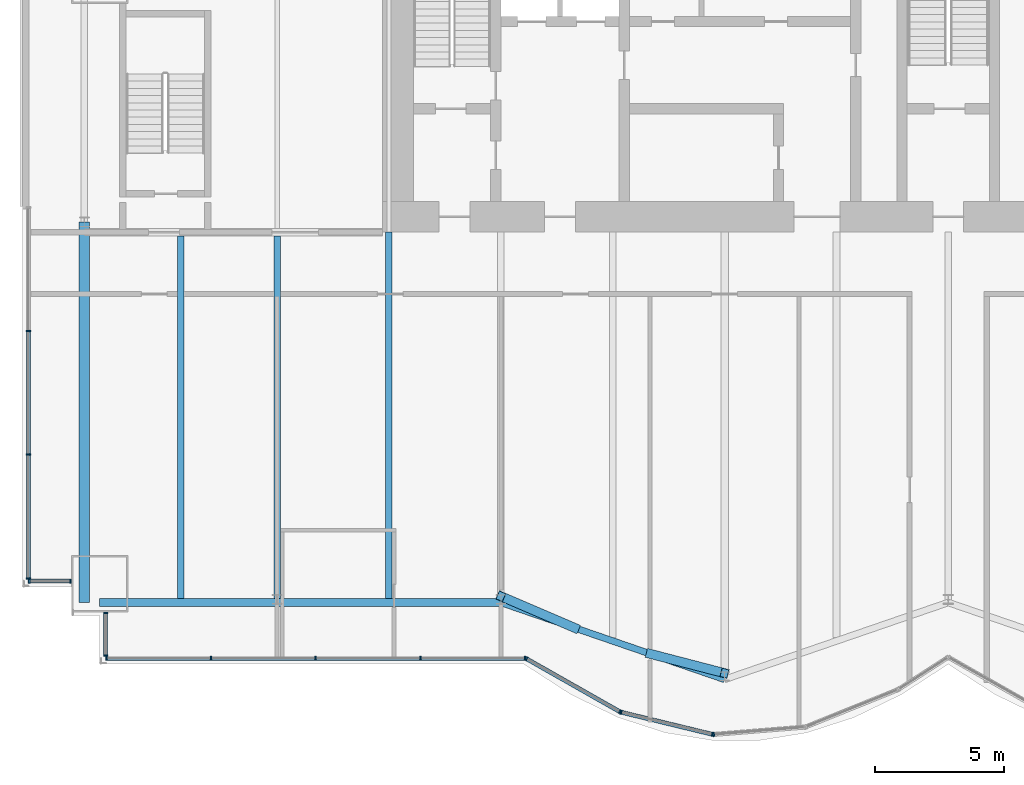
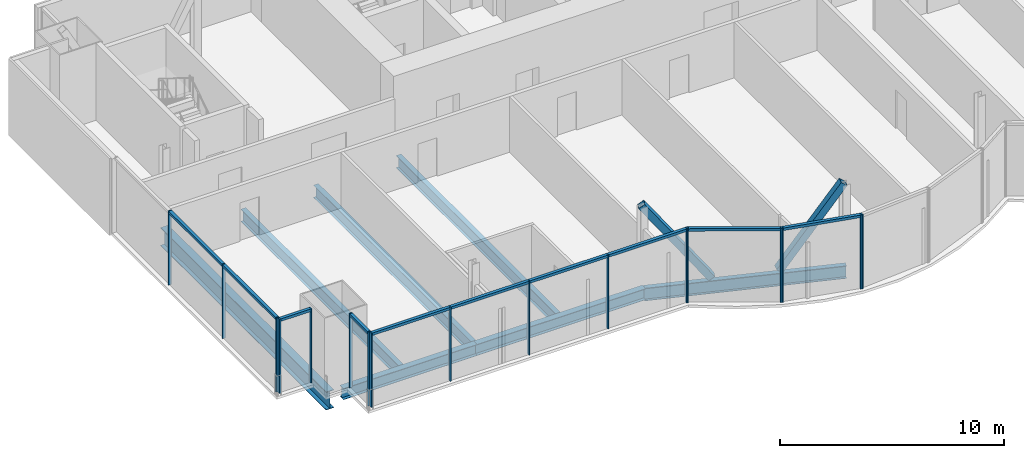
# One storey, part 5 of 20: 29 members, 7 beams, 5 elements without a shape of their own.
"""IFC4 building model written with IfcOpenShell, lengths in metres."""

from ifc_helpers import new_model, si_unit, direction, frame, origin, origin_2d, place, context, subcontext, project, spatial, rectangle, hollow_rectangle, i_section, extrude, material, material_profile, profile_set, type_object, element, aggregate, save


model = new_model("IFC4")

# Units and contexts
model_context = context("Model", 3, precision=1e-05, world=origin(), true_north=direction((0.0, 1.0)))
body_context = subcontext(model_context, "Body", "Model", "MODEL_VIEW")
ifc_project = project(units=[si_unit("LENGTHUNIT", "METRE"), si_unit("AREAUNIT", "SQUARE_METRE"), si_unit("VOLUMEUNIT", "CUBIC_METRE"), si_unit("PLANEANGLEUNIT", "RADIAN"), si_unit("MASSUNIT", "GRAM", prefix="KILO")], contexts=[model_context])

# Site, building, storey
site_placement = place(None, origin())
site = spatial("IfcSite", under=ifc_project, at=site_placement, CompositionType="ELEMENT")
building_placement = place(site_placement, origin())
building = spatial("IfcBuilding", under=site, at=building_placement, Name="Bicima Exchange Tower", CompositionType="ELEMENT")
storey_placement = place(building_placement, frame((0.0, 0.0, 249.800048828125)))
storey = spatial("IfcBuildingStorey", under=building, at=storey_placement, Name="L56", CompositionType="ELEMENT", Elevation=249.800048828125)

# Curtain wall, members
ifc_material_1 = material(Name="Anodised bronze aluminium", Category="aluminium")
curtain_wall_type_1 = type_object("IfcCurtainWallType", Name="End face glass wall", PredefinedType="NOTDEFINED", material=ifc_material_1)
curtain_wall_1_placement = place(storey_placement, origin())
curtain_wall_1 = element("IfcCurtainWall", 1, at=curtain_wall_1_placement, inside=storey, type_object=curtain_wall_type_1, Name="End face glass wall L56 run 2", PredefinedType="NOTDEFINED")
ifc_material_profile_1 = material_profile(ifc_material_1, rectangle(XDim=0.159912109375, YDim=0.06005859375, at=origin_2d()))
ifc_profile_set_1 = profile_set([ifc_material_profile_1], Name="Anodised bronze aluminium")
member_type_1 = type_object("IfcMemberType", Name="End face glass wall mullion 60 x 160", PredefinedType="MULLION", material=ifc_profile_set_1)
member_1_placement = place(storey_placement, frame((-35.77001953125, -16.840087890625, 0.0), z_axis=(0.0, 0.0, 1.0), x_axis=(1.0, 0.0, 0.0)))
member_1 = element("IfcMember", 2, at=member_1_placement, type_object=member_type_1, Name="End face glass wall mullion 2", PredefinedType="MULLION", context=body_context, shape_type="SweptSolid", body=[
    extrude(rectangle(XDim=0.159912109375, YDim=0.06005859375, at=origin_2d()), origin(), (0.0, 0.0, 1.0), 4.050048828125),
])
member_2_placement = place(storey_placement, frame((-35.77001953125, -21.64990234375, 0.0), z_axis=(0.0, 0.0, 1.0), x_axis=(1.0, 0.0, 0.0)))
member_2 = element("IfcMember", 3, at=member_2_placement, type_object=member_type_1, Name="End face glass wall mullion 3", PredefinedType="MULLION", context=body_context, shape_type="SweptSolid", body=[
    extrude(rectangle(XDim=0.159912109375, YDim=0.06005859375, at=origin_2d()), origin(), (0.0, 0.0, 1.0), 4.050048828125),
])
member_3_placement = place(storey_placement, frame((-35.77001953125, -26.4599609375, 0.0), z_axis=(0.0, 0.0, 1.0), x_axis=(1.0, 0.0, 0.0)))
member_3 = element("IfcMember", 4, at=member_3_placement, type_object=member_type_1, Name="End face glass wall mullion 4", PredefinedType="MULLION", context=body_context, shape_type="SweptSolid", body=[
    extrude(rectangle(XDim=0.159912109375, YDim=0.06005859375, at=origin_2d()), origin(), (0.0, 0.0, 1.0), 4.050048828125),
])
ifc_material_profile_2 = material_profile(ifc_material_1, rectangle(XDim=0.159912109375, YDim=0.139892578125, at=origin_2d()))
ifc_profile_set_2 = profile_set([ifc_material_profile_2], Name="Anodised bronze aluminium")
member_type_2 = type_object("IfcMemberType", Name="End face glass wall transom 140 x 160", PredefinedType="USERDEFINED", material=ifc_profile_set_2)
member_4_placement = place(storey_placement, frame((-35.77001953125, -16.8701171875, 3.97998046875), z_axis=(0.0, -1.0, 0.0), x_axis=(1.0, 0.0, 0.0)))
member_4 = element("IfcMember", 5, at=member_4_placement, type_object=member_type_2, Name="End face glass wall transom 2.1", ObjectType="TRANSOM", PredefinedType="USERDEFINED", context=body_context, shape_type="SweptSolid", body=[
    extrude(rectangle(XDim=0.159912109375, YDim=0.139892578125, at=origin_2d()), origin(), (0.0, 0.0, 1.0), 4.75),
])
member_5_placement = place(storey_placement, frame((-35.77001953125, -21.679931640625, 3.97998046875), z_axis=(0.0, -1.0, 0.0), x_axis=(1.0, 0.0, 0.0)))
member_5 = element("IfcMember", 6, at=member_5_placement, type_object=member_type_2, Name="End face glass wall transom 3.1", ObjectType="TRANSOM", PredefinedType="USERDEFINED", context=body_context, shape_type="SweptSolid", body=[
    extrude(rectangle(XDim=0.159912109375, YDim=0.139892578125, at=origin_2d()), origin(), (0.0, 0.0, 1.0), 4.75),
])
aggregate(curtain_wall_1, [member_1, member_2, member_3, member_4, member_5])

# Beams
ifc_material_2 = material(Name="Steel ASTM A992 Gr 50", Category="steel")
ifc_material_profile_3 = material_profile(ifc_material_2, i_section(OverallWidth=0.4013671875, OverallDepth=0.990478515625, WebThickness=0.0166015625, FlangeThickness=0.031005859375, at=origin_2d()))
ifc_profile_set_3 = profile_set([ifc_material_profile_3], Name="Steel ASTM A992 Gr 50")
beam_type_1 = type_object("IfcBeamType", Name="End girder W40x215", PredefinedType="BEAM", material=ifc_profile_set_3)
beam_1_placement = place(storey_placement, frame((-33.60009765625, -12.60009765625, -0.645263671875), z_axis=(0.0, -1.0, 0.0), x_axis=(1.0, 0.0, 0.0)))
element("IfcBeam", 7, at=beam_1_placement, inside=storey, type_object=beam_type_1, Name="End girder", PredefinedType="BEAM", context=body_context, shape_type="SweptSolid", body=[
    extrude(i_section(OverallWidth=0.4013671875, OverallDepth=0.990478515625, WebThickness=0.0166015625, FlangeThickness=0.031005859375, at=origin_2d()), origin(), (0.0, 0.0, 1.0), 14.7998046875),
])
ifc_material_profile_4 = material_profile(ifc_material_2, i_section(OverallWidth=0.25390625, OverallDepth=0.67822265625, WebThickness=0.01171875, FlangeThickness=0.016357421875, at=origin_2d()))
ifc_profile_set_4 = profile_set([ifc_material_profile_4], Name="Steel ASTM A992 Gr 50")
beam_type_2 = type_object("IfcBeamType", Name="Floor beam W27x84", PredefinedType="JOIST", material=ifc_profile_set_4)
for number, where, z_axis, x_axis, name in (
    (8, (-29.85009765625, -13.15234375, -0.4892578125), (0.0, -1.0, 0.0), (1.0, 0.0, 0.0), "Floor beam"),
    (9, (-26.10009765625, -13.15234375, -0.4892578125), (0.0, -1.0, 0.0), (1.0, 0.0, 0.0), "Floor beam"),
):
    element("IfcBeam", number, at=place(storey_placement, frame(where, z_axis=z_axis, x_axis=x_axis)), inside=storey, type_object=beam_type_2, Name=name, PredefinedType="JOIST", context=body_context, shape_type="SweptSolid", body=[
        extrude(i_section(OverallWidth=0.25390625, OverallDepth=0.67822265625, WebThickness=0.01171875, FlangeThickness=0.016357421875, at=origin_2d()), origin(), (0.0, 0.0, 1.0), 14.0849609375),
    ])
beam_2_placement = place(storey_placement, frame((-21.75, -13.0, -0.4892578125), z_axis=(0.0, -1.0, 0.0), x_axis=(1.0, 0.0, 0.0)))
element("IfcBeam", 10, at=beam_2_placement, inside=storey, type_object=beam_type_2, Name="Floor beam", PredefinedType="JOIST", context=body_context, shape_type="SweptSolid", body=[
    extrude(i_section(OverallWidth=0.25390625, OverallDepth=0.67822265625, WebThickness=0.01171875, FlangeThickness=0.016357421875, at=origin_2d()), origin(), (0.0, 0.0, 1.0), 14.2373046875),
])
ifc_material_profile_5 = material_profile(ifc_material_2, i_section(OverallWidth=0.3251953125, OverallDepth=0.612060546875, WebThickness=0.0126953125, FlangeThickness=0.01904296875, at=origin_2d()))
ifc_profile_set_5 = profile_set([ifc_material_profile_5], Name="Steel ASTM A992 Gr 50")
beam_type_3 = type_object("IfcBeamType", Name="Front girder W24x104", PredefinedType="BEAM", material=ifc_profile_set_5)
beam_3_placement = place(storey_placement, frame((-33.0, -27.39990234375, -0.4560546875), z_axis=(1.0, 0.0, 0.0), x_axis=(0.0, 1.0, 0.0)))
element("IfcBeam", 11, at=beam_3_placement, inside=storey, type_object=beam_type_3, Name="Front girder", PredefinedType="BEAM", context=body_context, shape_type="SweptSolid", body=[
    extrude(i_section(OverallWidth=0.3251953125, OverallDepth=0.612060546875, WebThickness=0.0126953125, FlangeThickness=0.01904296875, at=origin_2d()), origin(), (0.0, 0.0, 1.0), 6.89990234375),
])
beam_4_placement = place(storey_placement, frame((-26.10009765625, -27.39990234375, -0.4560546875), z_axis=(1.0, 0.0, 0.0), x_axis=(0.0, 1.0, 0.0)))
element("IfcBeam", 12, at=beam_4_placement, inside=storey, type_object=beam_type_3, Name="Front girder", PredefinedType="BEAM", context=body_context, shape_type="SweptSolid", body=[
    extrude(i_section(OverallWidth=0.3251953125, OverallDepth=0.612060546875, WebThickness=0.0126953125, FlangeThickness=0.01904296875, at=origin_2d()), origin(), (0.0, 0.0, 1.0), 8.7001953125),
])
ifc_material_profile_6 = material_profile(ifc_material_2, i_section(OverallWidth=0.256591796875, OverallDepth=0.693359375, WebThickness=0.014404296875, FlangeThickness=0.023681640625, at=origin_2d()))
ifc_profile_set_6 = profile_set([ifc_material_profile_6], Name="Steel ASTM A992 Gr 50")
beam_type_4 = type_object("IfcBeamType", Name="Front girder W27x114", PredefinedType="BEAM", material=ifc_profile_set_6)
beam_5_placement = place(storey_placement, frame((-17.39990234375, -27.39990234375, -0.496826171875), z_axis=(0.945666456746, -0.325138359143, 0.0), x_axis=(0.325138359143, 0.945666456746, 0.0)))
element("IfcBeam", 13, at=beam_5_placement, inside=storey, type_object=beam_type_4, Name="Front girder", PredefinedType="BEAM", context=body_context, shape_type="SweptSolid", body=[
    extrude(i_section(OverallWidth=0.256591796875, OverallDepth=0.693359375, WebThickness=0.014404296875, FlangeThickness=0.023681640625, at=origin_2d()), origin(), (0.0, 0.0, 1.0), 9.19970703125),
])

# Curtain wall, members
curtain_wall_type_2 = type_object("IfcCurtainWallType", Name="Front glass wall", PredefinedType="NOTDEFINED", material=ifc_material_1)
curtain_wall_2_placement = place(storey_placement, origin())
curtain_wall_2 = element("IfcCurtainWall", 14, at=curtain_wall_2_placement, inside=storey, type_object=curtain_wall_type_2, Name="Front glass wall L56 run 3", PredefinedType="NOTDEFINED")
member_type_3 = type_object("IfcMemberType", Name="Front glass wall mullion 60 x 160", PredefinedType="MULLION", material=ifc_profile_set_1)
member_6_placement = place(storey_placement, frame((-35.739990234375, -26.570068359375, 0.0), z_axis=(0.0, 0.0, 1.0), x_axis=(0.0, 1.0, 0.0)))
member_6 = element("IfcMember", 15, at=member_6_placement, type_object=member_type_3, Name="Front glass wall mullion 1", PredefinedType="MULLION", context=body_context, shape_type="SweptSolid", body=[
    extrude(rectangle(XDim=0.159912109375, YDim=0.06005859375, at=origin_2d()), origin(), (0.0, 0.0, 1.0), 4.050048828125),
])
member_7_placement = place(storey_placement, frame((-34.1298828125, -26.570068359375, 0.0), z_axis=(0.0, 0.0, 1.0), x_axis=(0.0, 1.0, 0.0)))
member_7 = element("IfcMember", 16, at=member_7_placement, type_object=member_type_3, Name="Front glass wall mullion 2", PredefinedType="MULLION", context=body_context, shape_type="SweptSolid", body=[
    extrude(rectangle(XDim=0.159912109375, YDim=0.06005859375, at=origin_2d()), origin(), (0.0, 0.0, 1.0), 4.050048828125),
])

curtain_wall_3_placement = place(storey_placement, origin())
curtain_wall_3 = element("IfcCurtainWall", 17, at=curtain_wall_3_placement, inside=storey, type_object=curtain_wall_type_2, Name="Front glass wall L56 run 4", PredefinedType="NOTDEFINED")
member_8_placement = place(storey_placement, frame((-32.77001953125, -27.80810546875, 0.0), z_axis=(0.0, 0.0, 1.0), x_axis=(1.0, 0.0, 0.0)))
member_8 = element("IfcMember", 18, at=member_8_placement, type_object=member_type_3, Name="Front glass wall mullion 1", PredefinedType="MULLION", context=body_context, shape_type="SweptSolid", body=[
    extrude(rectangle(XDim=0.159912109375, YDim=0.06005859375, at=origin_2d()), origin(), (0.0, 0.0, 1.0), 4.050048828125),
])
member_9_placement = place(storey_placement, frame((-32.77001953125, -29.4599609375, 0.0), z_axis=(0.0, 0.0, 1.0), x_axis=(1.0, 0.0, 0.0)))
member_9 = element("IfcMember", 19, at=member_9_placement, type_object=member_type_3, Name="Front glass wall mullion 2", PredefinedType="MULLION", context=body_context, shape_type="SweptSolid", body=[
    extrude(rectangle(XDim=0.159912109375, YDim=0.06005859375, at=origin_2d()), origin(), (0.0, 0.0, 1.0), 4.050048828125),
])

curtain_wall_4_placement = place(storey_placement, origin())
curtain_wall_4 = element("IfcCurtainWall", 20, at=curtain_wall_4_placement, inside=storey, type_object=curtain_wall_type_2, Name="Front glass wall L56 run 5", PredefinedType="NOTDEFINED")
member_10_placement = place(storey_placement, frame((-32.739990234375, -29.570068359375, 0.0), z_axis=(0.0, 0.0, 1.0), x_axis=(0.0, 1.0, 0.0)))
member_10 = element("IfcMember", 21, at=member_10_placement, type_object=member_type_3, Name="Front glass wall mullion 1", PredefinedType="MULLION", context=body_context, shape_type="SweptSolid", body=[
    extrude(rectangle(XDim=0.159912109375, YDim=0.06005859375, at=origin_2d()), origin(), (0.0, 0.0, 1.0), 4.050048828125),
])
member_11_placement = place(storey_placement, frame((-28.67041015625, -29.570068359375, 0.0), z_axis=(0.0, 0.0, 1.0), x_axis=(0.0, 1.0, 0.0)))
member_11 = element("IfcMember", 22, at=member_11_placement, type_object=member_type_3, Name="Front glass wall mullion 2", PredefinedType="MULLION", context=body_context, shape_type="SweptSolid", body=[
    extrude(rectangle(XDim=0.159912109375, YDim=0.06005859375, at=origin_2d()), origin(), (0.0, 0.0, 1.0), 4.050048828125),
])
member_12_placement = place(storey_placement, frame((-24.60107421875, -29.570068359375, 0.0), z_axis=(0.0, 0.0, 1.0), x_axis=(0.0, 1.0, 0.0)))
member_12 = element("IfcMember", 23, at=member_12_placement, type_object=member_type_3, Name="Front glass wall mullion 3", PredefinedType="MULLION", context=body_context, shape_type="SweptSolid", body=[
    extrude(rectangle(XDim=0.159912109375, YDim=0.06005859375, at=origin_2d()), origin(), (0.0, 0.0, 1.0), 4.050048828125),
])
member_13_placement = place(storey_placement, frame((-20.531494140625, -29.570068359375, 0.0), z_axis=(0.0, 0.0, 1.0), x_axis=(0.0, 1.0, 0.0)))
member_13 = element("IfcMember", 24, at=member_13_placement, type_object=member_type_3, Name="Front glass wall mullion 4", PredefinedType="MULLION", context=body_context, shape_type="SweptSolid", body=[
    extrude(rectangle(XDim=0.159912109375, YDim=0.06005859375, at=origin_2d()), origin(), (0.0, 0.0, 1.0), 4.050048828125),
])
member_14_placement = place(storey_placement, frame((-16.462158203125, -29.570068359375, 0.0), z_axis=(0.0, 0.0, 1.0), x_axis=(0.0, 1.0, 0.0)))
member_14 = element("IfcMember", 25, at=member_14_placement, type_object=member_type_3, Name="Front glass wall mullion 5", PredefinedType="MULLION", context=body_context, shape_type="SweptSolid", body=[
    extrude(rectangle(XDim=0.159912109375, YDim=0.06005859375, at=origin_2d()), origin(), (0.0, 0.0, 1.0), 4.050048828125),
])

curtain_wall_5_placement = place(storey_placement, origin())
curtain_wall_5 = element("IfcCurtainWall", 26, at=curtain_wall_5_placement, inside=storey, type_object=curtain_wall_type_2, Name="Front glass wall L56 run 6", PredefinedType="NOTDEFINED")
member_15_placement = place(storey_placement, frame((-16.406005859375, -29.584716796875, 0.0), z_axis=(0.0, 0.0, 1.0), x_axis=(0.493395449343, 0.869805110681, 0.0)))
member_15 = element("IfcMember", 27, at=member_15_placement, type_object=member_type_3, Name="Front glass wall mullion 1", PredefinedType="MULLION", context=body_context, shape_type="SweptSolid", body=[
    extrude(rectangle(XDim=0.159912109375, YDim=0.06005859375, at=origin_2d()), origin(), (0.0, 0.0, 1.0), 4.050048828125),
])
member_16_placement = place(storey_placement, frame((-12.7734375, -31.6455078125, 0.0), z_axis=(0.0, 0.0, 1.0), x_axis=(0.493395449343, 0.869805110681, 0.0)))
member_16 = element("IfcMember", 28, at=member_16_placement, type_object=member_type_3, Name="Front glass wall mullion 2", PredefinedType="MULLION", context=body_context, shape_type="SweptSolid", body=[
    extrude(rectangle(XDim=0.159912109375, YDim=0.06005859375, at=origin_2d()), origin(), (0.0, 0.0, 1.0), 4.050048828125),
])
member_17_placement = place(storey_placement, frame((-12.718017578125, -31.667236328125, 0.0), z_axis=(0.0, 0.0, 1.0), x_axis=(0.235681529503, 0.971830343553, 0.0)))
member_17 = element("IfcMember", 29, at=member_17_placement, type_object=member_type_3, Name="Front glass wall mullion 1", PredefinedType="MULLION", context=body_context, shape_type="SweptSolid", body=[
    extrude(rectangle(XDim=0.159912109375, YDim=0.06005859375, at=origin_2d()), origin(), (0.0, 0.0, 1.0), 4.050048828125),
])
member_18_placement = place(storey_placement, frame((-9.177490234375, -32.52587890625, 0.0), z_axis=(0.0, 0.0, 1.0), x_axis=(0.235681529503, 0.971830343553, 0.0)))
member_18 = element("IfcMember", 30, at=member_18_placement, type_object=member_type_3, Name="Front glass wall mullion 2", PredefinedType="MULLION", context=body_context, shape_type="SweptSolid", body=[
    extrude(rectangle(XDim=0.159912109375, YDim=0.06005859375, at=origin_2d()), origin(), (0.0, 0.0, 1.0), 4.050048828125),
])
member_19_placement = place(storey_placement, frame((-9.118408203125, -32.530517578125, 0.0), z_axis=(0.0, 0.0, 1.0), x_axis=(-0.080588612633, 0.99674744821, 0.0)))
member_19 = element("IfcMember", 31, at=member_19_placement, type_object=member_type_3, Name="Front glass wall mullion 1", PredefinedType="MULLION", context=body_context, shape_type="SweptSolid", body=[
    extrude(rectangle(XDim=0.159912109375, YDim=0.06005859375, at=origin_2d()), origin(), (0.0, 0.0, 1.0), 4.050048828125),
])

# Member
member_type_4 = type_object("IfcMemberType", Name="Front glass wall transom 140 x 160", PredefinedType="USERDEFINED", material=ifc_profile_set_2)
member_20_placement = place(storey_placement, frame((-35.7099609375, -26.570068359375, 3.97998046875), z_axis=(1.0, 0.0, 0.0), x_axis=(0.0, 1.0, 0.0)))
member_20 = element("IfcMember", 32, at=member_20_placement, type_object=member_type_4, Name="Front glass wall transom 1.1", ObjectType="TRANSOM", PredefinedType="USERDEFINED", context=body_context, shape_type="SweptSolid", body=[
    extrude(rectangle(XDim=0.159912109375, YDim=0.139892578125, at=origin_2d()), origin(), (0.0, 0.0, 1.0), 1.550048828125),
])

aggregate(curtain_wall_2, [member_6, member_7, member_20])

member_21_placement = place(storey_placement, frame((-32.77001953125, -27.837890625, 3.97998046875), z_axis=(0.0, -1.0, 0.0), x_axis=(1.0, 0.0, 0.0)))
member_21 = element("IfcMember", 33, at=member_21_placement, type_object=member_type_4, Name="Front glass wall transom 1.1", ObjectType="TRANSOM", PredefinedType="USERDEFINED", context=body_context, shape_type="SweptSolid", body=[
    extrude(rectangle(XDim=0.159912109375, YDim=0.139892578125, at=origin_2d()), origin(), (0.0, 0.0, 1.0), 1.592041015625),
])

aggregate(curtain_wall_3, [member_8, member_9, member_21])

member_22_placement = place(storey_placement, frame((-32.7099609375, -29.570068359375, 3.97998046875), z_axis=(1.0, 0.0, 0.0), x_axis=(0.0, 1.0, 0.0)))
member_22 = element("IfcMember", 34, at=member_22_placement, type_object=member_type_4, Name="Front glass wall transom 1.1", ObjectType="TRANSOM", PredefinedType="USERDEFINED", context=body_context, shape_type="SweptSolid", body=[
    extrude(rectangle(XDim=0.159912109375, YDim=0.139892578125, at=origin_2d()), origin(), (0.0, 0.0, 1.0), 4.009521484375),
])

member_23_placement = place(storey_placement, frame((-28.640380859375, -29.570068359375, 3.97998046875), z_axis=(1.0, 0.0, 0.0), x_axis=(0.0, 1.0, 0.0)))
member_23 = element("IfcMember", 35, at=member_23_placement, type_object=member_type_4, Name="Front glass wall transom 2.1", ObjectType="TRANSOM", PredefinedType="USERDEFINED", context=body_context, shape_type="SweptSolid", body=[
    extrude(rectangle(XDim=0.159912109375, YDim=0.139892578125, at=origin_2d()), origin(), (0.0, 0.0, 1.0), 4.00927734375),
])

member_24_placement = place(storey_placement, frame((-24.571044921875, -29.570068359375, 3.97998046875), z_axis=(1.0, 0.0, 0.0), x_axis=(0.0, 1.0, 0.0)))
member_24 = element("IfcMember", 36, at=member_24_placement, type_object=member_type_4, Name="Front glass wall transom 3.1", ObjectType="TRANSOM", PredefinedType="USERDEFINED", context=body_context, shape_type="SweptSolid", body=[
    extrude(rectangle(XDim=0.159912109375, YDim=0.139892578125, at=origin_2d()), origin(), (0.0, 0.0, 1.0), 4.009521484375),
])

member_25_placement = place(storey_placement, frame((-20.501708984375, -29.570068359375, 3.97998046875), z_axis=(1.0, 0.0, 0.0), x_axis=(0.0, 1.0, 0.0)))
member_25 = element("IfcMember", 37, at=member_25_placement, type_object=member_type_4, Name="Front glass wall transom 4.1", ObjectType="TRANSOM", PredefinedType="USERDEFINED", context=body_context, shape_type="SweptSolid", body=[
    extrude(rectangle(XDim=0.159912109375, YDim=0.139892578125, at=origin_2d()), origin(), (0.0, 0.0, 1.0), 4.009521484375),
])

aggregate(curtain_wall_4, [member_10, member_11, member_12, member_13, member_14, member_22, member_23, member_24, member_25])

member_26_placement = place(storey_placement, frame((-16.3798828125, -29.599609375, 3.97998046875), z_axis=(0.869797371721, -0.49340909208, 0.0), x_axis=(0.49340909208, 0.869797371721, 0.0)))
member_26 = element("IfcMember", 38, at=member_26_placement, type_object=member_type_4, Name="Front glass wall transom 1.1", ObjectType="TRANSOM", PredefinedType="USERDEFINED", context=body_context, shape_type="SweptSolid", body=[
    extrude(rectangle(XDim=0.159912109375, YDim=0.139892578125, at=origin_2d()), origin(), (0.0, 0.0, 1.0), 4.1162109375),
])

member_27_placement = place(storey_placement, frame((-12.68896484375, -31.67431640625, 3.97998046875), z_axis=(0.971833557815, -0.235668275132, 0.0), x_axis=(0.235668275132, 0.971833557815, 0.0)))
member_27 = element("IfcMember", 39, at=member_27_placement, type_object=member_type_4, Name="Front glass wall transom 1.1", ObjectType="TRANSOM", PredefinedType="USERDEFINED", context=body_context, shape_type="SweptSolid", body=[
    extrude(rectangle(XDim=0.159912109375, YDim=0.139892578125, at=origin_2d()), origin(), (0.0, 0.0, 1.0), 3.583251953125),
])

aggregate(curtain_wall_5, [member_15, member_16, member_26, member_17, member_18, member_27, member_19])

# Members
ifc_material_3 = material(Name="Steel ASTM A572 Gr 50", Category="steel")
ifc_material_profile_7 = material_profile(ifc_material_3, hollow_rectangle(XDim=0.355712890625, YDim=0.355712890625, WallThickness=0.0146484375, at=origin_2d()))
ifc_profile_set_7 = profile_set([ifc_material_profile_7], Name="Steel ASTM A572 Gr 50")
member_type_5 = type_object("IfcMemberType", Name="Mega brace HSS14x14x5/8", PredefinedType="BRACE", material=ifc_profile_set_7)
member_28_placement = place(storey_placement, frame((-11.60009765625, -29.39404296875, 0.0), z_axis=(0.562127183359, -0.145985551028, 0.814064646462), x_axis=(0.251363668904, 0.967892714073, 0.0)))
element("IfcMember", 40, at=member_28_placement, inside=storey, type_object=member_type_5, Name="Mega brace front", PredefinedType="BRACE", context=body_context, shape_type="SweptSolid", body=[
    extrude(hollow_rectangle(XDim=0.355712890625, YDim=0.355712890625, WallThickness=0.0146484375, at=origin_2d()), origin(), (0.0, 0.0, 1.0), 5.1591796875),
])
member_29_placement = place(storey_placement, frame((-14.5, -28.39697265625, 0.0), z_axis=(-0.552096787245, 0.236260984136, 0.799606081073), x_axis=(-0.393424148395, -0.919357079409, 0.0)))
element("IfcMember", 41, at=member_29_placement, inside=storey, type_object=member_type_5, Name="Mega brace front", PredefinedType="BRACE", context=body_context, shape_type="SweptSolid", body=[
    extrude(hollow_rectangle(XDim=0.355712890625, YDim=0.355712890625, WallThickness=0.0146484375, at=origin_2d()), origin(), (0.0, 0.0, 1.0), 5.25244140625),
])

save(model, "model.ifc")
